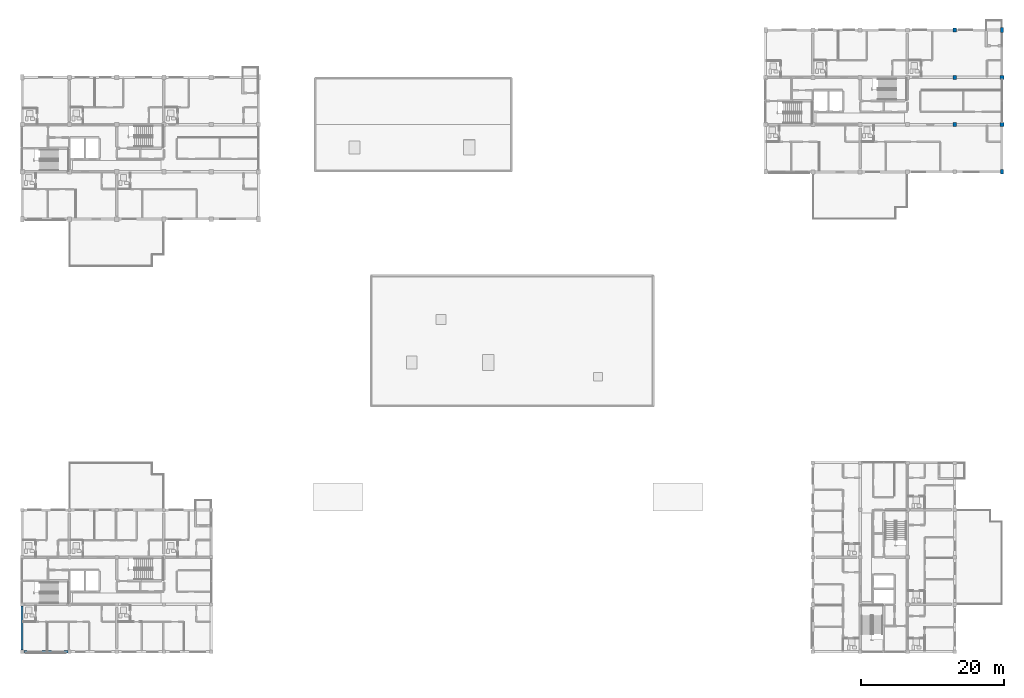
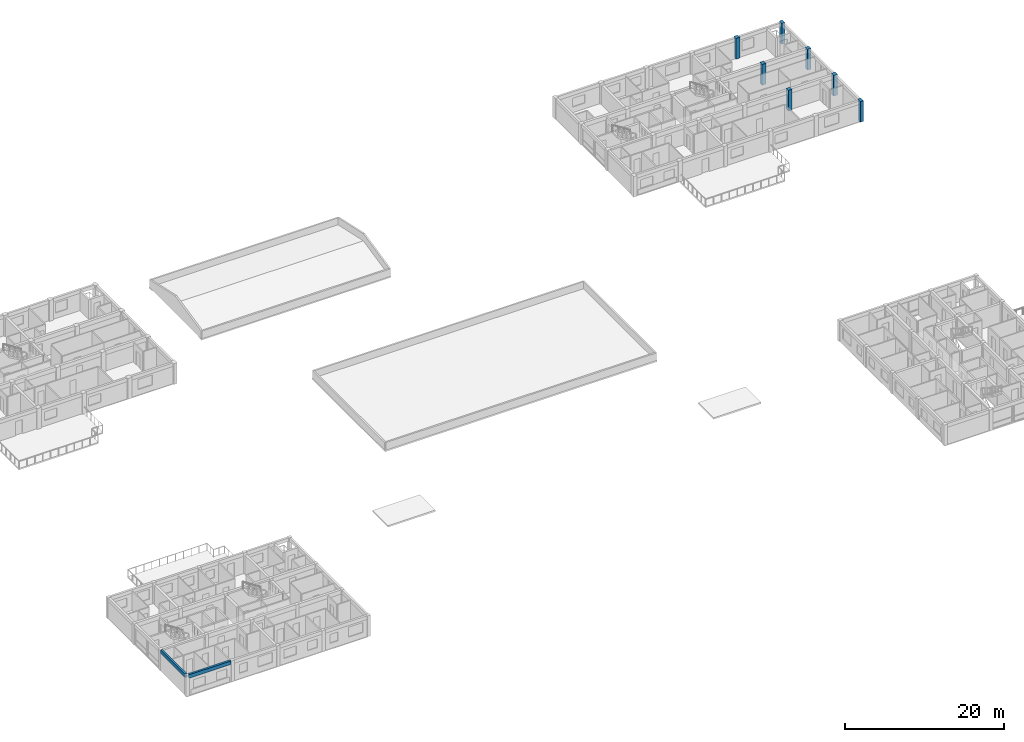
# One storey, part 2 of 51: 7 columns, 2 beams.
"""IFC4 building model written with IfcOpenShell, lengths in metres."""

import ifcopenshell
import ifcopenshell.guid

model = None  # the IFC model being written
_history = None  # IfcOwnerHistory: only IFC2X3 demands one
_inside = {}  # id of a spatial element -> (the spatial element, [elements in it])
_under = {}  # id of a project, library or spatial element -> (it, [spatial elements below it])
_declared = {}  # id of a project -> (the project, [libraries it declares])
_typed = {}  # id of a type object -> (the type object, [elements of that type])
_made_of = {}  # id of a material, layer set ... -> (it, [elements and type objects made of it])


def new_model(schema):
    """Start an empty IFC model of exactly this schema.

    Asked for "IFC4X3", IfcOpenShell would pick the latest addendum, in which some entities
    have other attributes; the version numbers below select the first issue.
    IFC2X3 requires an IfcOwnerHistory on every rooted entity: one is made here for all.
    """
    global model, _history
    if schema == "IFC4X3":
        model = ifcopenshell.file(schema_version=(4, 3, 0, 0))
    else:
        model = ifcopenshell.file(schema=schema)
    _inside.clear()
    _under.clear()
    _declared.clear()
    _typed.clear()
    _made_of.clear()
    _history = None
    if model.schema == "IFC2X3":
        org = make("IfcOrganization", Name="unknown")
        user = make(
            "IfcPersonAndOrganization",
            ThePerson=make("IfcPerson", FamilyName="unknown"),
            TheOrganization=org,
        )
        app = make(
            "IfcApplication",
            ApplicationDeveloper=org,
            Version="unknown",
            ApplicationFullName="unknown",
            ApplicationIdentifier="unknown",
        )
        _history = make(
            "IfcOwnerHistory",
            OwningUser=user,
            OwningApplication=app,
            ChangeAction="ADDED",
            CreationDate=0,
        )
    return model


def make(cls, **values):
    """One entity of the class cls with the attributes given. An attribute that is None is left unset."""
    return model.create_entity(
        cls, **{name: value for name, value in values.items() if value is not None}
    )


def rooted(cls, **values):
    """An entity with a GlobalId (a new one), such as an element, a storey or a relation."""
    return make(cls, GlobalId=ifcopenshell.guid.new(), OwnerHistory=_history, **values)


def si_unit(unit_type, name, prefix=None):
    """IfcSIUnit, for example si_unit("LENGTHUNIT", "METRE", prefix="MILLI")."""
    return make("IfcSIUnit", UnitType=unit_type, Prefix=prefix, Name=name)


def assignment(units):
    """IfcUnitAssignment: the units of a project."""
    return None if units is None else make("IfcUnitAssignment", Units=units)


def point(xyz):
    """IfcCartesianPoint."""
    return None if xyz is None else make("IfcCartesianPoint", Coordinates=xyz)


def direction(xyz):
    """IfcDirection."""
    return None if xyz is None else make("IfcDirection", DirectionRatios=xyz)


def frame(location, z_axis=None, x_axis=None):
    """IfcAxis2Placement3D, a coordinate frame: its origin and axes. An axis left out is left unset."""
    return make(
        "IfcAxis2Placement3D",
        Location=point(location),
        Axis=direction(z_axis),
        RefDirection=direction(x_axis),
    )


def frame_2d(location, x_axis=None):
    """IfcAxis2Placement2D, a coordinate frame in the plane: its origin and x axis."""
    return make(
        "IfcAxis2Placement2D", Location=point(location), RefDirection=direction(x_axis)
    )


def origin():
    """The frame at (0, 0, 0) with its axes left unset."""
    return frame((0.0, 0.0, 0.0))


def origin_2d():
    """The frame at (0, 0) in the plane with its x axis left unset."""
    return frame_2d((0.0, 0.0))


def place(relative_to, where):
    """IfcLocalPlacement: puts the frame where relative to a parent placement (None: the world)."""
    return make(
        "IfcLocalPlacement", PlacementRelTo=relative_to, RelativePlacement=where
    )


def context(
    kind, dimensions, precision=None, world=None, true_north=None, identifier=None
):
    """IfcGeometricRepresentationContext, for example the 3D "Model" context."""
    return make(
        "IfcGeometricRepresentationContext",
        ContextIdentifier=identifier,
        ContextType=kind,
        CoordinateSpaceDimension=dimensions,
        Precision=precision,
        WorldCoordinateSystem=world,
        TrueNorth=true_north,
    )


def subcontext(parent, identifier, kind, view, scale=None):
    """IfcGeometricRepresentationSubContext, for example "Body" below "Model"."""
    return make(
        "IfcGeometricRepresentationSubContext",
        ContextIdentifier=identifier,
        ContextType=kind,
        ParentContext=parent,
        TargetScale=scale,
        TargetView=view,
    )


def project(units=None, contexts=None):
    """IfcProject with its units and contexts."""
    return rooted(
        "IfcProject",
        Name="project",
        RepresentationContexts=contexts,
        UnitsInContext=assignment(units),
    )


def spatial(cls, under=None, at=None, **own):
    """A site, building, storey or space (cls), placed at a placement, below another one or the project."""
    s = rooted(cls, ObjectPlacement=at, **own)
    if under is not None:
        _under.setdefault(under.id(), (under, []))[1].append(s)
    return s


def profile(cls, at=None, kind="AREA", **sizes):
    """A parametric profile (cls). Its sizes go by their IFC names, for example OverallWidth=200.0."""
    return make(cls, ProfileType=kind, Position=at, **sizes)


def rectangle(**sizes):
    """IfcRectangleProfileDef."""
    return profile("IfcRectangleProfileDef", **sizes)


def extrude(swept, where, along, depth):
    """IfcExtrudedAreaSolid: the profile swept, set in the frame where, extruded along a direction by depth."""
    return make(
        "IfcExtrudedAreaSolid",
        SweptArea=swept,
        Position=where,
        ExtrudedDirection=direction(along),
        Depth=depth,
    )


def shape(context_of_items, identifier, shape_type, items):
    """IfcShapeRepresentation: the items that make up one representation, for example the "Body"."""
    return make(
        "IfcShapeRepresentation",
        ContextOfItems=context_of_items,
        RepresentationIdentifier=identifier,
        RepresentationType=shape_type,
        Items=items,
    )


def material(Name=None, Category=None):
    """IfcMaterial."""
    return make("IfcMaterial", Name=Name, Category=Category)


def material_profile(
    of_material, cross_section, Name=None, Category=None, Priority=None
):
    """IfcMaterialProfile: a cross section and its material."""
    return make(
        "IfcMaterialProfile",
        Name=Name,
        Material=of_material,
        Profile=cross_section,
        Priority=Priority,
        Category=Category,
    )


def profile_set(profiles, Name=None, composite=None):
    """IfcMaterialProfileSet."""
    return make(
        "IfcMaterialProfileSet",
        Name=Name,
        MaterialProfiles=profiles,
        CompositeProfile=composite,
    )


def made_of(thing, what):
    """Note that an element or type object is made of a material, layer set ...; save() writes the relation."""
    if what is not None:
        _made_of.setdefault(what.id(), (what, []))[1].append(thing)
    return thing


def type_object(cls, material=None, **own):
    """A type object (cls), such as IfcWallType, which elements share."""
    return made_of(rooted(cls, **own), material)


def element(
    cls,
    number,
    at=None,
    inside=None,
    cuts=None,
    type_object=None,
    material=None,
    context=None,
    identifier="Body",
    shape_type=None,
    held_by="IfcProductDefinitionShape",
    body=None,
    shapes=None,
    **own,
):
    """One element of the class cls, such as IfcWall. Its Tag is "e" and its number.

    at: its placement. inside: the storey or other place that contains it. cuts: it is an
    opening in that element (IfcRelVoidsElement). A single representation is given by context,
    identifier, shape_type and body (its items); several are given by shapes. held_by: the class
    of the entity that holds the representations. save() writes the other relations.
    """
    e = rooted(cls, Tag="e%d" % number, ObjectPlacement=at, **own)
    if body is not None:
        shapes = [shape(context, identifier, shape_type, body)]
    if shapes is not None:
        e.Representation = make(held_by, Representations=shapes)
    if inside is not None:
        _inside.setdefault(inside.id(), (inside, []))[1].append(e)
    if cuts is not None:
        rooted(
            "IfcRelVoidsElement", RelatingBuildingElement=cuts, RelatedOpeningElement=e
        )
    if type_object is not None:
        _typed.setdefault(type_object.id(), (type_object, []))[1].append(e)
    return made_of(e, material)


def aggregate(whole, parts):
    """IfcRelAggregates: a whole, such as a stair, and the parts it consists of."""
    return rooted("IfcRelAggregates", RelatingObject=whole, RelatedObjects=parts)


def save(model, path):
    """Write the relations noted so far, then the file.

    IfcRelAggregates (storeys below a building ...), IfcRelContainedInSpatialStructure (elements
    in a storey), IfcRelDefinesByType, IfcRelAssociatesMaterial and IfcRelDeclares: one each for
    every whole, place, type object, material and project.
    """
    for whole, parts in _under.values():
        aggregate(whole, parts)
    for where, things in _inside.values():
        rooted(
            "IfcRelContainedInSpatialStructure",
            RelatedElements=things,
            RelatingStructure=where,
        )
    for kind, things in _typed.values():
        rooted("IfcRelDefinesByType", RelatedObjects=things, RelatingType=kind)
    for what, things in _made_of.values():
        rooted("IfcRelAssociatesMaterial", RelatedObjects=things, RelatingMaterial=what)
    for by, libraries in _declared.values():
        rooted("IfcRelDeclares", RelatingContext=by, RelatedDefinitions=libraries)
    model.write(path)


model = new_model("IFC4")

# Units and contexts
model_context = context("Model", 3, precision=1e-05, world=origin(), true_north=direction((0.0, 1.0)))
body_context = subcontext(model_context, "Body", "Model", "MODEL_VIEW")
ifc_project = project(units=[si_unit("LENGTHUNIT", "METRE"), si_unit("AREAUNIT", "SQUARE_METRE"), si_unit("VOLUMEUNIT", "CUBIC_METRE"), si_unit("PLANEANGLEUNIT", "RADIAN"), si_unit("MASSUNIT", "GRAM", prefix="KILO")], contexts=[model_context])

# Site, building, storey
site_placement = place(None, origin())
site = spatial("IfcSite", under=ifc_project, at=site_placement, CompositionType="ELEMENT")
building_placement = place(site_placement, origin())
building = spatial("IfcBuilding", under=site, at=building_placement, Name="Kernevlak Ridge Housing Community", CompositionType="ELEMENT")
storey_placement = place(building_placement, frame((0.0, 0.0, 8.39990234375)))
storey = spatial("IfcBuildingStorey", under=building, at=storey_placement, Name="L02", CompositionType="ELEMENT", Elevation=8.39990234375)

# Columns
ifc_material_1 = material(Name="Concrete C40/50", Category="concrete")
ifc_material_profile_1 = material_profile(ifc_material_1, rectangle(XDim=0.550048828125, YDim=0.550048828125, at=origin_2d()), Name="RC 550x550")
ifc_profile_set_1 = profile_set([ifc_material_profile_1], Name="Concrete C40/50")
column_type_1 = type_object("IfcColumnType", Name="C-02", PredefinedType="COLUMN", material=ifc_profile_set_1)
for number, where, z_axis, x_axis, name in (
    (1, (145.800048828125, 89.199951171875, 0.0), (0.0, 0.0, 1.0), (1.0, 0.0, 0.0), "Column C-02 COL-B-L02-04-1"),
    (2, (145.800048828125, 95.800048828125, 0.0), (0.0, 0.0, 1.0), (1.0, 0.0, 0.0), "Column C-02 COL-B-L02-04-2"),
    (3, (145.800048828125, 102.39990234375, 0.0), (0.0, 0.0, 1.0), (1.0, 0.0, 0.0), "Column C-02 COL-B-L02-04-3"),
    (4, (152.39990234375, 89.199951171875, 0.0), (0.0, 0.0, 1.0), (1.0, 0.0, 0.0), "Column C-02 COL-B-L02-05-1"),
    (5, (152.39990234375, 95.800048828125, 0.0), (0.0, 0.0, 1.0), (1.0, 0.0, 0.0), "Column C-02 COL-B-L02-05-2"),
):
    element("IfcColumn", number, at=place(storey_placement, frame(where, z_axis=z_axis, x_axis=x_axis)), inside=storey, type_object=column_type_1, Name=name, PredefinedType="COLUMN", context=body_context, shape_type="SweptSolid", body=[
        extrude(rectangle(XDim=0.550048828125, YDim=0.550048828125, at=origin_2d()), origin(), (0.0, 0.0, 1.0), 3.2001953125),
    ])
ifc_material_profile_2 = material_profile(ifc_material_1, rectangle(XDim=0.449951171875, YDim=0.64990234375, at=origin_2d()), Name="RC 450x650")
ifc_profile_set_2 = profile_set([ifc_material_profile_2], Name="Concrete C40/50")
column_type_2 = type_object("IfcColumnType", Name="C-08", PredefinedType="COLUMN", material=ifc_profile_set_2)
for number, where, z_axis, x_axis, name in (
    (6, (152.39990234375, 82.60009765625, 0.0), (0.0, 0.0, 1.0), (1.0, 0.0, 0.0), "Column C-08 COL-B-L02-05-0"),
    (7, (152.39990234375, 102.39990234375, 0.0), (0.0, 0.0, 1.0), (1.0, 0.0, 0.0), "Column C-08 COL-B-L02-05-3"),
):
    element("IfcColumn", number, at=place(storey_placement, frame(where, z_axis=z_axis, x_axis=x_axis)), inside=storey, type_object=column_type_2, Name=name, PredefinedType="COLUMN", context=body_context, shape_type="SweptSolid", body=[
        extrude(rectangle(XDim=0.449951171875, YDim=0.64990234375, at=origin_2d()), origin(), (0.0, 0.0, 1.0), 3.2001953125),
    ])

# Beams
ifc_material_2 = material(Name="Concrete C35/45", Category="concrete")
ifc_material_profile_3 = material_profile(ifc_material_2, rectangle(XDim=0.300048828125, YDim=0.550048828125, at=origin_2d()), Name="RC 300x550")
ifc_profile_set_3 = profile_set([ifc_material_profile_3], Name="Concrete C35/45")
beam_type = type_object("IfcBeamType", Name="SP-01", PredefinedType="SPANDREL", material=ifc_profile_set_3)
for number, where, z_axis, x_axis, name in (
    (8, (15.824951171875, 15.60009765625, 2.925048828125), (1.0, 0.0, 0.0), (0.0, 1.0, 0.0), "Beam SP-01 L02 1366"),
    (9, (15.60009765625, 15.824951171875, 2.925048828125), (0.0, 1.0, 0.0), (-1.0, 0.0, 0.0), "Beam SP-01 L02 1382"),
):
    element("IfcBeam", number, at=place(storey_placement, frame(where, z_axis=z_axis, x_axis=x_axis)), inside=storey, type_object=beam_type, Name=name, PredefinedType="SPANDREL", context=body_context, shape_type="SweptSolid", body=[
        extrude(rectangle(XDim=0.300048828125, YDim=0.550048828125, at=origin_2d()), origin(), (0.0, 0.0, 1.0), 6.150146484375),
    ])

save(model, "model.ifc")
